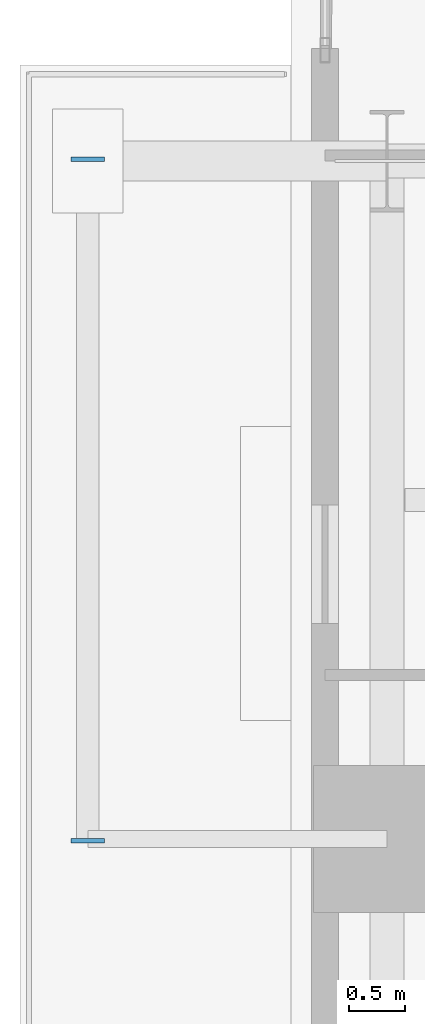
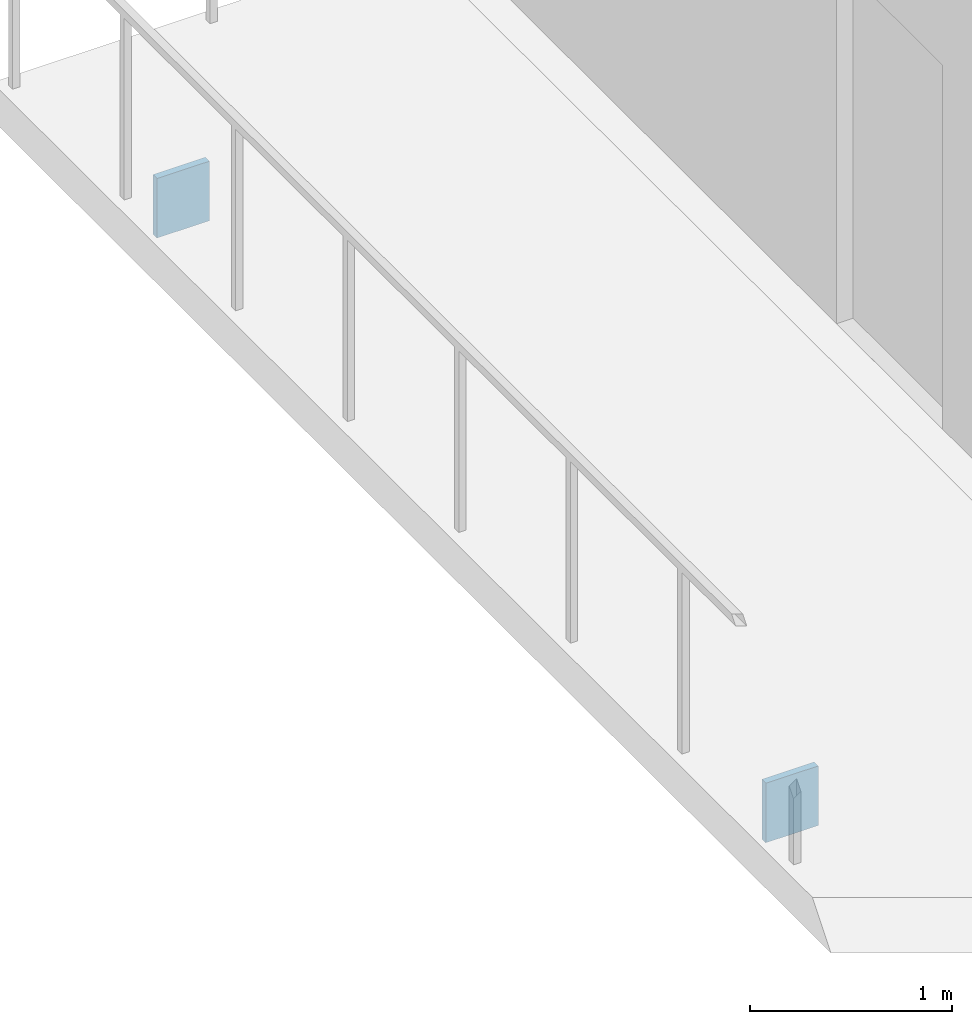
# One storey, part 20 of 27: 2 plates.
"""IFC4 building model written with IfcOpenShell, lengths in metres."""

from ifc_helpers import new_model, si_unit, direction, frame, origin, origin_2d, place, context, subcontext, project, spatial, rectangle, extrude, material, layer, layer_set, type_object, element, save


model = new_model("IFC4")

# Units and contexts
model_context = context("Model", 3, precision=1e-05, world=origin(), true_north=direction((0.0, 1.0)))
body_context = subcontext(model_context, "Body", "Model", "MODEL_VIEW")
ifc_project = project(units=[si_unit("LENGTHUNIT", "METRE"), si_unit("AREAUNIT", "SQUARE_METRE"), si_unit("VOLUMEUNIT", "CUBIC_METRE"), si_unit("PLANEANGLEUNIT", "RADIAN"), si_unit("MASSUNIT", "GRAM", prefix="KILO"), si_unit("THERMODYNAMICTEMPERATUREUNIT", "KELVIN"), si_unit("POWERUNIT", "WATT")], contexts=[model_context])

# Site, building, storey
site_placement = place(None, origin())
site = spatial("IfcSite", under=ifc_project, at=site_placement, CompositionType="ELEMENT")
building_placement = place(site_placement, origin())
building = spatial("IfcBuilding", under=site, at=building_placement, Name="Svarakhadi Broadcast Tower", CompositionType="ELEMENT")
storey_placement = place(building_placement, frame((0.0, 0.0, 87.0)))
storey = spatial("IfcBuildingStorey", under=building, at=storey_placement, Name="L20", CompositionType="ELEMENT", Elevation=87.0)

# Plates
ifc_material = material(Name="Steel S460ML (IS 2062 E450BR)", Category="steel")
ifc_layer = layer(ifc_material, 0.028076171875)
ifc_layer_set = layer_set([ifc_layer], Name="Steel S460ML (IS 2062 E450BR)")
plate_type = type_object("IfcPlateType", Name="Cap_Plate_CP02", PredefinedType="USERDEFINED", material=ifc_layer_set)
for number, where, z_axis, x_axis, name in (
    (1, (-1.800048828125, 35.135009765625, -0.580078125), (0.0, 0.0, 1.0), (1.0, 0.0, 0.0), "L20 Balcony Spandrel End Cap Plate 2F-A"),
    (2, (-1.800048828125, 41.1650390625, -0.580078125), (0.0, 0.0, 1.0), (1.0, 0.0, 0.0), "L20 Balcony Spandrel End Cap Plate 2F-B"),
):
    element("IfcPlate", number, at=place(storey_placement, frame(where, z_axis=z_axis, x_axis=x_axis)), inside=storey, type_object=plate_type, Name=name, ObjectType="FLANGE_PLATE", PredefinedType="USERDEFINED", context=body_context, shape_type="SweptSolid", body=[
        extrude(rectangle(XDim=0.300048828125, YDim=0.0400390625, at=origin_2d()), origin(), (0.0, 0.0, 1.0), 0.360107421875),
    ])

save(model, "model.ifc")
